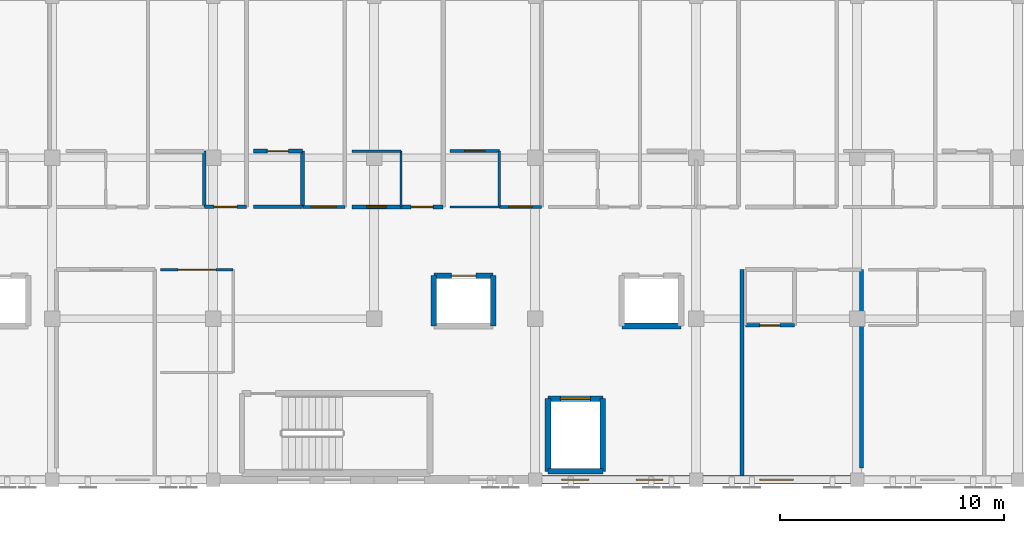
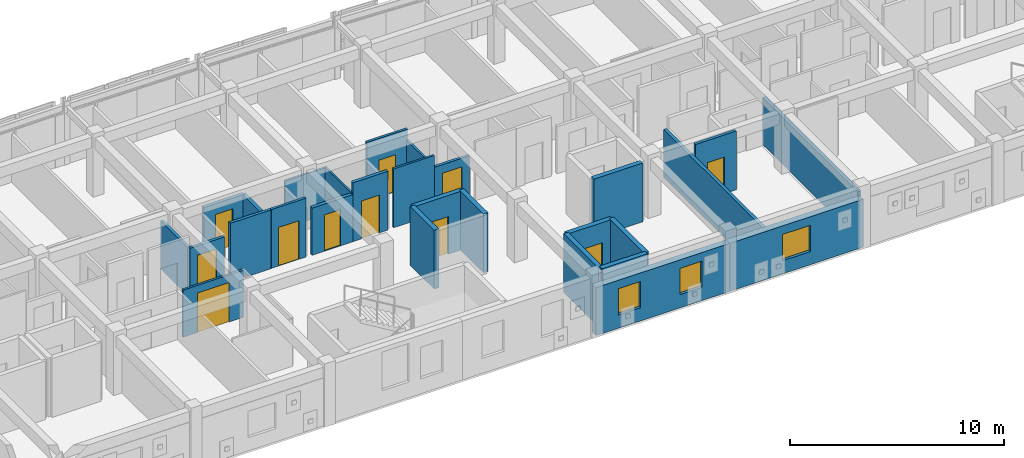
# One storey, part 40 of 48: 28 walls, 11 doors, 3 windows, 14 openings.
"""IFC4 building model written with IfcOpenShell, lengths in metres."""

from ifc_helpers import new_model, si_unit, direction, frame, frame_2d, origin, place, context, subcontext, project, spatial, rectangle, extrude, material, layer, layer_set, type_object, element, fill, save


model = new_model("IFC4")

# Units and contexts
model_context = context("Model", 3, precision=1e-05, world=origin(), true_north=direction((0.0, 1.0)))
body_context = subcontext(model_context, "Body", "Model", "MODEL_VIEW")
ifc_project = project(units=[si_unit("LENGTHUNIT", "METRE"), si_unit("AREAUNIT", "SQUARE_METRE"), si_unit("VOLUMEUNIT", "CUBIC_METRE"), si_unit("PLANEANGLEUNIT", "RADIAN"), si_unit("MASSUNIT", "GRAM", prefix="KILO")], contexts=[model_context])

# Site, building, storey
site_placement = place(None, origin())
site = spatial("IfcSite", under=ifc_project, at=site_placement, CompositionType="ELEMENT")
building_placement = place(site_placement, origin())
building = spatial("IfcBuilding", under=site, at=building_placement, Name="Carrowvane Square Congress Hotel", CompositionType="ELEMENT")
storey_placement = place(building_placement, frame((0.0, 0.0, 26.39990234375)))
storey = spatial("IfcBuildingStorey", under=building, at=storey_placement, Name="L06", CompositionType="ELEMENT", Elevation=26.39990234375)

# Wall, opening, window
ifc_material_1 = material(Name="Glazed terracotta rainscreen", Category="masonry")
ifc_layer_1 = layer(ifc_material_1, 0.360107421875)
ifc_layer_set_1 = layer_set([ifc_layer_1], Name="Glazed terracotta rainscreen")
wall_type_1 = type_object("IfcWallType", Name="WL-EXT-TC360", PredefinedType="STANDARD", material=ifc_layer_set_1)
wall_1_placement = place(storey_placement, frame((126.800048828125, 91.800048828125, 0.0), z_axis=(0.0, 0.0, 1.0), x_axis=(-1.0, 0.0, 0.0)))
wall_1 = element("IfcWall", 1, at=wall_1_placement, inside=storey, type_object=wall_type_1, Name="L06 exterior facade wall 491", PredefinedType="STANDARD", context=body_context, shape_type="SweptSolid", body=[
    extrude(rectangle(XDim=7.199951171875, YDim=0.360107421875, at=frame_2d((3.60009765625, 0.0))), origin(), (0.0, 0.0, 1.0), 2.735107421875),
])
opening_1_placement = place(wall_1_placement, frame((2.85009765625, 0.0, 0.75)))
opening_1 = element("IfcOpeningElement", 2, at=opening_1_placement, cuts=wall_1, Name="Opening W-15", PredefinedType="OPENING", context=body_context, shape_type="SweptSolid", body=[
    extrude(rectangle(XDim=1.5, YDim=1.5, at=frame_2d((0.75, 0.75))), frame((0.0, 0.18994140625, 0.0), z_axis=(0.0, -1.0, 0.0), x_axis=(1.0, 0.0, 0.0)), (0.0, 0.0, 1.0), 0.380126953125),
])
ifc_material_2 = material(Name="Double-glazed low-E glass", Category="glass")
window_type_1 = type_object("IfcWindowType", Name="WIN-15", PartitioningType="SINGLE_PANEL", PredefinedType="WINDOW", material=ifc_material_2)
window_1_placement = place(opening_1_placement, origin())
window_1 = element("IfcWindow", 3, at=window_1_placement, inside=storey, type_object=window_type_1, Name="L06 facade window 321", OverallHeight=1.5, OverallWidth=1.5, PartitioningType="SINGLE_PANEL", PredefinedType="WINDOW", context=body_context, shape_type="SweptSolid", body=[
    extrude(rectangle(XDim=1.5, YDim=1.5, at=frame_2d((0.75, 0.75))), frame((0.0, 0.030029296875, 0.0), z_axis=(0.0, -1.0, 0.0), x_axis=(1.0, 0.0, 0.0)), (0.0, 0.0, 1.0), 0.06005859375),
])
fill(opening_1, window_1)

# Wall, openings, windows
wall_2_placement = place(storey_placement, frame((119.60009765625, 91.800048828125, 0.0), z_axis=(0.0, 0.0, 1.0), x_axis=(-1.0, 0.0, 0.0)))
wall_2 = element("IfcWall", 4, at=wall_2_placement, inside=storey, type_object=wall_type_1, Name="L06 exterior facade wall 492", PredefinedType="STANDARD", context=body_context, shape_type="SweptSolid", body=[
    extrude(rectangle(XDim=7.2001953125, YDim=0.360107421875, at=frame_2d((3.60009765625, 0.0))), origin(), (0.0, 0.0, 1.0), 2.735107421875),
])
opening_2_placement = place(wall_2_placement, frame((1.487548828125, 0.0, 0.75)))
opening_2 = element("IfcOpeningElement", 5, at=opening_2_placement, cuts=wall_2, Name="Opening W-01", PredefinedType="OPENING", context=body_context, shape_type="SweptSolid", body=[
    extrude(rectangle(XDim=1.199951171875, YDim=1.5, at=frame_2d((0.60009765625, 0.75))), frame((0.0, 0.18994140625, 0.0), z_axis=(0.0, -1.0, 0.0), x_axis=(1.0, 0.0, 0.0)), (0.0, 0.0, 1.0), 0.380126953125),
])
opening_3_placement = place(wall_2_placement, frame((4.800048828125, 0.0, 0.75)))
opening_3 = element("IfcOpeningElement", 6, at=opening_3_placement, cuts=wall_2, Name="Opening W-01", PredefinedType="OPENING", context=body_context, shape_type="SweptSolid", body=[
    extrude(rectangle(XDim=1.199951171875, YDim=1.5, at=frame_2d((0.60009765625, 0.75))), frame((0.0, 0.18994140625, 0.0), z_axis=(0.0, -1.0, 0.0), x_axis=(1.0, 0.0, 0.0)), (0.0, 0.0, 1.0), 0.380126953125),
])
ifc_material_3 = material(Name="Double-glazed low-E glass", Category="glass")
window_type_2 = type_object("IfcWindowType", Name="WIN-01", PartitioningType="SINGLE_PANEL", PredefinedType="WINDOW", material=ifc_material_3)
window_2_placement = place(opening_2_placement, origin())
window_2 = element("IfcWindow", 7, at=window_2_placement, inside=storey, type_object=window_type_2, Name="L06 facade window 322", OverallHeight=1.5, OverallWidth=1.199951171875, PartitioningType="SINGLE_PANEL", PredefinedType="WINDOW", context=body_context, shape_type="SweptSolid", body=[
    extrude(rectangle(XDim=1.199951171875, YDim=1.5, at=frame_2d((0.60009765625, 0.75))), frame((0.0, 0.030029296875, 0.0), z_axis=(0.0, -1.0, 0.0), x_axis=(1.0, 0.0, 0.0)), (0.0, 0.0, 1.0), 0.06005859375),
])
fill(opening_2, window_2)
window_3_placement = place(opening_3_placement, origin())
window_3 = element("IfcWindow", 8, at=window_3_placement, inside=storey, type_object=window_type_2, Name="L06 split-bay facade window WIN-L06-0322-1", OverallHeight=1.5, OverallWidth=1.199951171875, PartitioningType="SINGLE_PANEL", PredefinedType="WINDOW", context=body_context, shape_type="SweptSolid", body=[
    extrude(rectangle(XDim=1.199951171875, YDim=1.5, at=frame_2d((0.60009765625, 0.75))), frame((0.0, 0.030029296875, 0.0), z_axis=(0.0, -1.0, 0.0), x_axis=(1.0, 0.0, 0.0)), (0.0, 0.0, 1.0), 0.06005859375),
])
fill(opening_3, window_3)

# Wall, opening, door
ifc_material_4 = material(Name="Acoustic gypsum board", Category="gypsum")
ifc_layer_2 = layer(ifc_material_4, 0.155029296875)
ifc_layer_set_2 = layer_set([ifc_layer_2], Name="Acoustic gypsum board")
wall_type_2 = type_object("IfcWallType", Name="WL-FIR-155", PredefinedType="PARTITIONING", material=ifc_layer_set_2)
wall_3_placement = place(storey_placement, frame((124.0, 98.699951171875, 0.0), z_axis=(0.0, 0.0, 1.0), x_axis=(-1.0, 0.0, 0.0)))
wall_3 = element("IfcWall", 9, at=wall_3_placement, inside=storey, type_object=wall_type_2, Name="L06 En-suite Bathroom 0607 partition", PredefinedType="PARTITIONING", context=body_context, shape_type="SweptSolid", body=[
    extrude(rectangle(XDim=2.199951171875, YDim=0.155029296875, at=frame_2d((1.10009765625, 0.0))), origin(), (0.0, 0.0, 1.0), 3.35009765625),
])
opening_4_placement = place(wall_3_placement, frame((0.655029296875, 0.0, 0.0)))
opening_4 = element("IfcOpeningElement", 10, at=opening_4_placement, cuts=wall_3, Name="Opening ID-16", PredefinedType="OPENING", context=body_context, shape_type="SweptSolid", body=[
    extrude(rectangle(XDim=0.889892578125, YDim=2.090087890625, at=frame_2d((0.44482421875, 1.044921875))), frame((0.0, 0.08740234375, 0.0), z_axis=(0.0, -1.0, 0.0), x_axis=(1.0, 0.0, 0.0)), (0.0, 0.0, 1.0), 0.175048828125),
])
ifc_material_5 = material(Name="European oak timber", Category="wood")
door_type_1 = type_object("IfcDoorType", Name="DR-INT-0890x2090", OperationType="NOTDEFINED", PredefinedType="DOOR", material=ifc_material_5)
door_1_placement = place(opening_4_placement, origin())
door_1 = element("IfcDoor", 11, at=door_1_placement, inside=storey, type_object=door_type_1, Name="L06 En-suite Bathroom 0607 door", OperationType="SINGLE_SWING_RIGHT", OverallHeight=2.090087890625, OverallWidth=0.889892578125, PredefinedType="DOOR", context=body_context, shape_type="SweptSolid", body=[
    extrude(rectangle(XDim=0.889892578125, YDim=2.090087890625, at=frame_2d((0.44482421875, 1.044921875))), frame((0.0, 0.02490234375, 0.0), z_axis=(0.0, -1.0, 0.0), x_axis=(1.0, 0.0, 0.0)), (0.0, 0.0, 1.0), 0.050048828125),
])
fill(opening_4, door_1)

wall_4_placement = place(storey_placement, frame((99.489990234375, 104.0, 0.0), z_axis=(0.0, 0.0, 1.0), x_axis=(-1.0, 0.0, 0.0)))
wall_4 = element("IfcWall", 12, at=wall_4_placement, inside=storey, type_object=wall_type_2, Name="L06 Parkview Guest Bedroom 0618 partition", PredefinedType="PARTITIONING", context=body_context, shape_type="SweptSolid", body=[
    extrude(rectangle(XDim=1.8798828125, YDim=0.155029296875, at=frame_2d((0.93994140625, 0.0))), origin(), (0.0, 0.0, 1.0), 2.68505859375),
])
opening_5_placement = place(wall_4_placement, frame((0.429931640625, 0.0, 0.0)))
opening_5 = element("IfcOpeningElement", 13, at=opening_5_placement, cuts=wall_4, Name="Opening FD-08", PredefinedType="OPENING", context=body_context, shape_type="SweptSolid", body=[
    extrude(rectangle(XDim=1.02001953125, YDim=2.14990234375, at=frame_2d((0.510009765625, 1.074951171875))), frame((0.0, 0.08740234375, 0.0), z_axis=(0.0, -1.0, 0.0), x_axis=(1.0, 0.0, 0.0)), (0.0, 0.0, 1.0), 0.175048828125),
])
ifc_material_6 = material(Name="European oak timber", Category="wood")
door_type_2 = type_object("IfcDoorType", Name="DR-FD30-1020x2150", OperationType="NOTDEFINED", PredefinedType="DOOR", material=ifc_material_6)
door_2_placement = place(opening_5_placement, origin())
door_2 = element("IfcDoor", 14, at=door_2_placement, inside=storey, type_object=door_type_2, Name="L06 Parkview Guest Bedroom 0618 entrance door", OperationType="SINGLE_SWING_LEFT", OverallHeight=2.14990234375, OverallWidth=1.02001953125, PredefinedType="DOOR", context=body_context, shape_type="SweptSolid", body=[
    extrude(rectangle(XDim=1.02001953125, YDim=2.14990234375, at=frame_2d((0.510009765625, 1.074951171875))), frame((0.0, 0.02490234375, 0.0), z_axis=(0.0, -1.0, 0.0), x_axis=(1.0, 0.0, 0.0)), (0.0, 0.0, 1.0), 0.050048828125),
])
fill(opening_5, door_2)

# Walls
wall_5_placement = place(storey_placement, frame((102.0, 104.0, 0.0), z_axis=(0.0, 0.0, 1.0), x_axis=(-1.0, 0.0, 0.0)))
element("IfcWall", 15, at=wall_5_placement, inside=storey, type_object=wall_type_2, Name="L06 En-suite Bathroom 0619 partition", PredefinedType="PARTITIONING", context=body_context, shape_type="SweptSolid", body=[
    extrude(rectangle(XDim=2.199951171875, YDim=0.155029296875, at=frame_2d((1.10009765625, 0.0))), origin(), (0.0, 0.0, 1.0), 3.35009765625),
])
ifc_material_7 = material(Name="Acoustic gypsum board", Category="gypsum")
ifc_layer_3 = layer(ifc_material_7, 0.169921875)
ifc_layer_set_3 = layer_set([ifc_layer_3], Name="Acoustic gypsum board")
wall_type_3 = type_object("IfcWallType", Name="WL-FIR-170", PredefinedType="PARTITIONING", material=ifc_layer_set_3)
wall_6_placement = place(storey_placement, frame((121.64990234375, 91.9599609375, 0.0), z_axis=(0.0, 0.0, 1.0), x_axis=(0.0, 1.0, 0.0)))
element("IfcWall", 16, at=wall_6_placement, inside=storey, type_object=wall_type_3, Name="L06 Hotel Suite 0607 partition", PredefinedType="PARTITIONING", context=body_context, shape_type="SweptSolid", body=[
    extrude(rectangle(XDim=9.239990234375, YDim=0.169921875, at=frame_2d((4.6201171875, 0.0))), origin(), (0.0, 0.0, 1.0), 2.735107421875),
])
wall_7_placement = place(storey_placement, frame((102.0, 106.5, 0.0), z_axis=(0.0, 0.0, 1.0), x_axis=(0.0, -1.0, 0.0)))
element("IfcWall", 17, at=wall_7_placement, inside=storey, type_object=wall_type_3, Name="L06 En-suite Bathroom 0619 partition", PredefinedType="PARTITIONING", context=body_context, shape_type="SweptSolid", body=[
    extrude(rectangle(XDim=2.5, YDim=0.169921875, at=frame_2d((1.25, 0.0))), origin(), (0.0, 0.0, 1.0), 2.735107421875),
])

# Wall, opening, door
wall_8_placement = place(storey_placement, frame((108.2900390625, 104.0, 0.0), z_axis=(0.0, 0.0, 1.0), x_axis=(-1.0, 0.0, 0.0)))
wall_8 = element("IfcWall", 18, at=wall_8_placement, inside=storey, type_object=wall_type_3, Name="L06 Parkview Guest Bedroom 0620 partition", PredefinedType="PARTITIONING", context=body_context, shape_type="SweptSolid", body=[
    extrude(rectangle(XDim=1.880126953125, YDim=0.169921875, at=frame_2d((0.93994140625, 0.0))), origin(), (0.0, 0.0, 1.0), 3.35009765625),
])
opening_6_placement = place(wall_8_placement, frame((0.449951171875, 0.0, 0.0)))
opening_6 = element("IfcOpeningElement", 19, at=opening_6_placement, cuts=wall_8, Name="Opening FD-07", PredefinedType="OPENING", context=body_context, shape_type="SweptSolid", body=[
    extrude(rectangle(XDim=0.97998046875, YDim=2.14990234375, at=frame_2d((0.489990234375, 1.074951171875))), frame((0.0, 0.094970703125, 0.0), z_axis=(0.0, -1.0, 0.0), x_axis=(1.0, 0.0, 0.0)), (0.0, 0.0, 1.0), 0.18994140625),
])
ifc_material_8 = material(Name="European oak timber", Category="wood")
door_type_3 = type_object("IfcDoorType", Name="DR-FD30-0980x2150", OperationType="NOTDEFINED", PredefinedType="DOOR", material=ifc_material_8)
door_3_placement = place(opening_6_placement, origin())
door_3 = element("IfcDoor", 20, at=door_3_placement, inside=storey, type_object=door_type_3, Name="L06 Parkview Guest Bedroom 0620 entrance door", OperationType="SINGLE_SWING_LEFT", OverallHeight=2.14990234375, OverallWidth=0.97998046875, PredefinedType="DOOR", context=body_context, shape_type="SweptSolid", body=[
    extrude(rectangle(XDim=0.97998046875, YDim=2.14990234375, at=frame_2d((0.489990234375, 1.074951171875))), frame((0.0, 0.02490234375, 0.0), z_axis=(0.0, -1.0, 0.0), x_axis=(1.0, 0.0, 0.0)), (0.0, 0.0, 1.0), 0.050048828125),
])
fill(opening_6, door_3)

# Wall
ifc_material_9 = material(Name="Acoustic gypsum board", Category="gypsum")
ifc_layer_4 = layer(ifc_material_9, 0.18505859375)
ifc_layer_set_4 = layer_set([ifc_layer_4], Name="Acoustic gypsum board")
wall_type_4 = type_object("IfcWallType", Name="WL-FIR-185", PredefinedType="PARTITIONING", material=ifc_layer_set_4)
wall_9_placement = place(storey_placement, frame((126.989990234375, 101.199951171875, 0.0), z_axis=(0.0, 0.0, 1.0), x_axis=(0.0, -1.0, 0.0)))
element("IfcWall", 21, at=wall_9_placement, inside=storey, type_object=wall_type_4, Name="L06 Hotel Suite 0607 partition", PredefinedType="PARTITIONING", context=body_context, shape_type="SweptSolid", body=[
    extrude(rectangle(XDim=8.8798828125, YDim=0.18505859375, at=frame_2d((4.43994140625, 0.0))), origin(), (0.0, 0.0, 1.0), 2.68505859375),
])

# Wall, opening, door
wall_10_placement = place(storey_placement, frame((99.800048828125, 106.5, 0.0), z_axis=(0.0, 0.0, 1.0), x_axis=(1.0, 0.0, 0.0)))
wall_10 = element("IfcWall", 22, at=wall_10_placement, inside=storey, type_object=wall_type_4, Name="L06 En-suite Bathroom 0619 partition", PredefinedType="PARTITIONING", context=body_context, shape_type="SweptSolid", body=[
    extrude(rectangle(XDim=2.199951171875, YDim=0.18505859375, at=frame_2d((1.10009765625, 0.0))), origin(), (0.0, 0.0, 1.0), 2.735107421875),
])
opening_7_placement = place(wall_10_placement, frame((0.6298828125, 0.0, 0.0)))
opening_7 = element("IfcOpeningElement", 23, at=opening_7_placement, cuts=wall_10, Name="Opening ID-04", PredefinedType="OPENING", context=body_context, shape_type="SweptSolid", body=[
    extrude(rectangle(XDim=0.93994140625, YDim=2.1201171875, at=frame_2d((0.469970703125, 1.06005859375))), frame((0.0, 0.1025390625, 0.0), z_axis=(0.0, -1.0, 0.0), x_axis=(1.0, 0.0, 0.0)), (0.0, 0.0, 1.0), 0.205078125),
])
ifc_material_10 = material(Name="European oak timber", Category="wood")
door_type_4 = type_object("IfcDoorType", Name="DR-INT-0940x2120", OperationType="NOTDEFINED", PredefinedType="DOOR", material=ifc_material_10)
door_4_placement = place(opening_7_placement, origin())
door_4 = element("IfcDoor", 24, at=door_4_placement, inside=storey, type_object=door_type_4, Name="L06 En-suite Bathroom 0619 door", OperationType="SINGLE_SWING_RIGHT", OverallHeight=2.1201171875, OverallWidth=0.93994140625, PredefinedType="DOOR", context=body_context, shape_type="SweptSolid", body=[
    extrude(rectangle(XDim=0.93994140625, YDim=2.1201171875, at=frame_2d((0.469970703125, 1.06005859375))), frame((0.0, 0.02490234375, 0.0), z_axis=(0.0, -1.0, 0.0), x_axis=(1.0, 0.0, 0.0)), (0.0, 0.0, 1.0), 0.050048828125),
])
fill(opening_7, door_4)

wall_11_placement = place(storey_placement, frame((106.39990234375, 104.0, 0.0), z_axis=(0.0, 0.0, 1.0), x_axis=(-1.0, 0.0, 0.0)))
wall_11 = element("IfcWall", 25, at=wall_11_placement, inside=storey, type_object=wall_type_4, Name="L06 En-suite Bathroom 0620 partition", PredefinedType="PARTITIONING", context=body_context, shape_type="SweptSolid", body=[
    extrude(rectangle(XDim=2.199951171875, YDim=0.18505859375, at=frame_2d((1.10009765625, 0.0))), origin(), (0.0, 0.0, 1.0), 2.68505859375),
])
opening_8_placement = place(wall_11_placement, frame((0.6650390625, 0.0, 0.0)))
opening_8 = element("IfcOpeningElement", 26, at=opening_8_placement, cuts=wall_11, Name="Opening ID-15", PredefinedType="OPENING", context=body_context, shape_type="SweptSolid", body=[
    extrude(rectangle(XDim=0.8701171875, YDim=2.070068359375, at=frame_2d((0.43505859375, 1.03515625))), frame((0.0, 0.1025390625, 0.0), z_axis=(0.0, -1.0, 0.0), x_axis=(1.0, 0.0, 0.0)), (0.0, 0.0, 1.0), 0.205078125),
])
ifc_material_11 = material(Name="European oak timber", Category="wood")
door_type_5 = type_object("IfcDoorType", Name="DR-INT-0870x2070", OperationType="NOTDEFINED", PredefinedType="DOOR", material=ifc_material_11)
door_5_placement = place(opening_8_placement, origin())
door_5 = element("IfcDoor", 27, at=door_5_placement, inside=storey, type_object=door_type_5, Name="L06 En-suite Bathroom 0620 door", OperationType="SINGLE_SWING_RIGHT", OverallHeight=2.070068359375, OverallWidth=0.8701171875, PredefinedType="DOOR", context=body_context, shape_type="SweptSolid", body=[
    extrude(rectangle(XDim=0.8701171875, YDim=2.070068359375, at=frame_2d((0.43505859375, 1.03515625))), frame((0.0, 0.02490234375, 0.0), z_axis=(0.0, -1.0, 0.0), x_axis=(1.0, 0.0, 0.0)), (0.0, 0.0, 1.0), 0.050048828125),
])
fill(opening_8, door_5)

# Walls
ifc_material_12 = material(Name="Acoustic gypsum board", Category="gypsum")
ifc_layer_5 = layer(ifc_material_12, 0.097900390625)
ifc_layer_set_5 = layer_set([ifc_layer_5], Name="Acoustic gypsum board")
wall_type_5 = type_object("IfcWallType", Name="WL-PRT-098", PredefinedType="PARTITIONING", material=ifc_layer_set_5)
wall_12_placement = place(storey_placement, frame((106.39990234375, 106.5, 0.0), z_axis=(0.0, 0.0, 1.0), x_axis=(0.0, -1.0, 0.0)))
element("IfcWall", 28, at=wall_12_placement, inside=storey, type_object=wall_type_5, Name="L06 En-suite Bathroom 0620 partition", PredefinedType="PARTITIONING", context=body_context, shape_type="SweptSolid", body=[
    extrude(rectangle(XDim=2.5, YDim=0.097900390625, at=frame_2d((1.25, 0.0))), origin(), (0.0, 0.0, 1.0), 2.735107421875),
])
ifc_material_13 = material(Name="Acoustic gypsum board", Category="gypsum")
ifc_layer_6 = layer(ifc_material_13, 0.10791015625)
ifc_layer_set_6 = layer_set([ifc_layer_6], Name="Acoustic gypsum board")
wall_type_6 = type_object("IfcWallType", Name="WL-PRT-108", PredefinedType="PARTITIONING", material=ifc_layer_set_6)
wall_13_placement = place(storey_placement, frame((104.199951171875, 106.5, 0.0), z_axis=(0.0, 0.0, 1.0), x_axis=(1.0, 0.0, 0.0)))
element("IfcWall", 29, at=wall_13_placement, inside=storey, type_object=wall_type_6, Name="L06 En-suite Bathroom 0620 partition", PredefinedType="PARTITIONING", context=body_context, shape_type="SweptSolid", body=[
    extrude(rectangle(XDim=2.199951171875, YDim=0.10791015625, at=frame_2d((1.10009765625, 0.0))), origin(), (0.0, 0.0, 1.0), 2.68505859375),
])
wall_14_placement = place(storey_placement, frame((110.800048828125, 104.0, 0.0), z_axis=(0.0, 0.0, 1.0), x_axis=(-1.0, 0.0, 0.0)))
element("IfcWall", 30, at=wall_14_placement, inside=storey, type_object=wall_type_6, Name="L06 En-suite Bathroom 0621 partition", PredefinedType="PARTITIONING", context=body_context, shape_type="SweptSolid", body=[
    extrude(rectangle(XDim=2.199951171875, YDim=0.10791015625, at=frame_2d((1.10009765625, 0.0))), origin(), (0.0, 0.0, 1.0), 3.35009765625),
])

# Wall, opening, door
ifc_material_14 = material(Name="Acoustic gypsum board", Category="gypsum")
ifc_layer_7 = layer(ifc_material_14, 0.117919921875)
ifc_layer_set_7 = layer_set([ifc_layer_7], Name="Acoustic gypsum board")
wall_type_7 = type_object("IfcWallType", Name="WL-PRT-118", PredefinedType="PARTITIONING", material=ifc_layer_set_7)
wall_15_placement = place(storey_placement, frame((95.64990234375, 101.199951171875, 0.0), z_axis=(0.0, 0.0, 1.0), x_axis=(1.0, 0.0, 0.0)))
wall_15 = element("IfcWall", 31, at=wall_15_placement, inside=storey, type_object=wall_type_7, Name="L06 L06 Accessible Guest WC partition", PredefinedType="PARTITIONING", context=body_context, shape_type="SweptSolid", body=[
    extrude(rectangle(XDim=3.25, YDim=0.117919921875, at=frame_2d((1.625, 0.0))), origin(), (0.0, 0.0, 1.0), 2.68505859375),
])
opening_9_placement = place(wall_15_placement, frame((0.77490234375, 0.0, 0.0)))
opening_9 = element("IfcOpeningElement", 32, at=opening_9_placement, cuts=wall_15, Name="Opening FD-12", PredefinedType="OPENING", context=body_context, shape_type="SweptSolid", body=[
    extrude(rectangle(XDim=1.699951171875, YDim=2.25, at=frame_2d((0.85009765625, 1.125))), frame((0.0, 0.06884765625, 0.0), z_axis=(0.0, -1.0, 0.0), x_axis=(1.0, 0.0, 0.0)), (0.0, 0.0, 1.0), 0.137939453125),
])
ifc_material_15 = material(Name="European oak timber", Category="wood")
door_type_6 = type_object("IfcDoorType", Name="DR-FD30-1700x2250", OperationType="DOUBLE_DOOR_SINGLE_SWING", PredefinedType="DOOR", material=ifc_material_15)
door_6_placement = place(opening_9_placement, origin())
door_6 = element("IfcDoor", 33, at=door_6_placement, inside=storey, type_object=door_type_6, Name="L06 L06 Accessible Guest WC entrance door", OperationType="DOUBLE_DOOR_SINGLE_SWING", OverallHeight=2.25, OverallWidth=1.699951171875, PredefinedType="DOOR", context=body_context, shape_type="SweptSolid", body=[
    extrude(rectangle(XDim=1.699951171875, YDim=2.25, at=frame_2d((0.85009765625, 1.125))), frame((0.0, 0.02490234375, 0.0), z_axis=(0.0, -1.0, 0.0), x_axis=(1.0, 0.0, 0.0)), (0.0, 0.0, 1.0), 0.050048828125),
])
fill(opening_9, door_6)

# Wall
wall_16_placement = place(storey_placement, frame((110.800048828125, 106.5, 0.0), z_axis=(0.0, 0.0, 1.0), x_axis=(0.0, -1.0, 0.0)))
element("IfcWall", 34, at=wall_16_placement, inside=storey, type_object=wall_type_7, Name="L06 En-suite Bathroom 0621 partition", PredefinedType="PARTITIONING", context=body_context, shape_type="SweptSolid", body=[
    extrude(rectangle(XDim=2.5, YDim=0.117919921875, at=frame_2d((1.25, 0.0))), origin(), (0.0, 0.0, 1.0), 2.735107421875),
])

# Wall, opening, door
ifc_material_16 = material(Name="Acoustic gypsum board", Category="gypsum")
ifc_layer_8 = layer(ifc_material_16, 0.1279296875)
ifc_layer_set_8 = layer_set([ifc_layer_8], Name="Acoustic gypsum board")
wall_type_8 = type_object("IfcWallType", Name="WL-PRT-128", PredefinedType="PARTITIONING", material=ifc_layer_set_8)
wall_17_placement = place(storey_placement, frame((108.60009765625, 106.5, 0.0), z_axis=(0.0, 0.0, 1.0), x_axis=(1.0, 0.0, 0.0)))
wall_17 = element("IfcWall", 35, at=wall_17_placement, inside=storey, type_object=wall_type_8, Name="L06 En-suite Bathroom 0621 partition", PredefinedType="PARTITIONING", context=body_context, shape_type="SweptSolid", body=[
    extrude(rectangle(XDim=2.199951171875, YDim=0.1279296875, at=frame_2d((1.10009765625, 0.0))), origin(), (0.0, 0.0, 1.0), 3.35009765625),
])
opening_10_placement = place(wall_17_placement, frame((0.64501953125, 0.0, 0.0)))
opening_10 = element("IfcOpeningElement", 36, at=opening_10_placement, cuts=wall_17, Name="Opening ID-17", PredefinedType="OPENING", context=body_context, shape_type="SweptSolid", body=[
    extrude(rectangle(XDim=0.909912109375, YDim=2.110107421875, at=frame_2d((0.455078125, 1.05517578125))), frame((0.0, 0.073974609375, 0.0), z_axis=(0.0, -1.0, 0.0), x_axis=(1.0, 0.0, 0.0)), (0.0, 0.0, 1.0), 0.14794921875),
])
ifc_material_17 = material(Name="European oak timber", Category="wood")
door_type_7 = type_object("IfcDoorType", Name="DR-INT-0910x2110", OperationType="NOTDEFINED", PredefinedType="DOOR", material=ifc_material_17)
door_7_placement = place(opening_10_placement, origin())
door_7 = element("IfcDoor", 37, at=door_7_placement, inside=storey, type_object=door_type_7, Name="L06 En-suite Bathroom 0621 door", OperationType="SINGLE_SWING_RIGHT", OverallHeight=2.110107421875, OverallWidth=0.909912109375, PredefinedType="DOOR", context=body_context, shape_type="SweptSolid", body=[
    extrude(rectangle(XDim=0.909912109375, YDim=2.110107421875, at=frame_2d((0.455078125, 1.05517578125))), frame((0.0, 0.02490234375, 0.0), z_axis=(0.0, -1.0, 0.0), x_axis=(1.0, 0.0, 0.0)), (0.0, 0.0, 1.0), 0.050048828125),
])
fill(opening_10, door_7)

ifc_material_18 = material(Name="Acoustic gypsum board", Category="gypsum")
ifc_layer_9 = layer(ifc_material_18, 0.137939453125)
ifc_layer_set_9 = layer_set([ifc_layer_9], Name="Acoustic gypsum board")
wall_type_9 = type_object("IfcWallType", Name="WL-PRT-138", PredefinedType="PARTITIONING", material=ifc_layer_set_9)
wall_18_placement = place(storey_placement, frame((103.889892578125, 104.0, 0.0), z_axis=(0.0, 0.0, 1.0), x_axis=(-1.0, 0.0, 0.0)))
wall_18 = element("IfcWall", 38, at=wall_18_placement, inside=storey, type_object=wall_type_9, Name="L06 Parkview Guest Bedroom 0619 partition", PredefinedType="PARTITIONING", context=body_context, shape_type="SweptSolid", body=[
    extrude(rectangle(XDim=1.8798828125, YDim=0.137939453125, at=frame_2d((0.93994140625, 0.0))), origin(), (0.0, 0.0, 1.0), 3.35009765625),
])
opening_11_placement = place(wall_18_placement, frame((0.3798828125, 0.0, 0.0)))
opening_11 = element("IfcOpeningElement", 39, at=opening_11_placement, cuts=wall_18, Name="Opening FD-10", PredefinedType="OPENING", context=body_context, shape_type="SweptSolid", body=[
    extrude(rectangle(XDim=1.1201171875, YDim=2.199951171875, at=frame_2d((0.56005859375, 1.10009765625))), frame((0.0, 0.078857421875, 0.0), z_axis=(0.0, -1.0, 0.0), x_axis=(1.0, 0.0, 0.0)), (0.0, 0.0, 1.0), 0.157958984375),
])
ifc_material_19 = material(Name="European oak timber", Category="wood")
door_type_8 = type_object("IfcDoorType", Name="DR-FD30-1120x2200", OperationType="NOTDEFINED", PredefinedType="DOOR", material=ifc_material_19)
door_8_placement = place(opening_11_placement, origin())
door_8 = element("IfcDoor", 40, at=door_8_placement, inside=storey, type_object=door_type_8, Name="L06 Parkview Guest Bedroom 0619 entrance door", OperationType="SINGLE_SWING_LEFT", OverallHeight=2.199951171875, OverallWidth=1.1201171875, PredefinedType="DOOR", context=body_context, shape_type="SweptSolid", body=[
    extrude(rectangle(XDim=1.1201171875, YDim=2.199951171875, at=frame_2d((0.56005859375, 1.10009765625))), frame((0.0, 0.02490234375, 0.0), z_axis=(0.0, -1.0, 0.0), x_axis=(1.0, 0.0, 0.0)), (0.0, 0.0, 1.0), 0.050048828125),
])
fill(opening_11, door_8)

# Wall
ifc_material_20 = material(Name="Acoustic gypsum board", Category="gypsum")
ifc_layer_10 = layer(ifc_material_20, 0.14794921875)
ifc_layer_set_10 = layer_set([ifc_layer_10], Name="Acoustic gypsum board")
wall_type_10 = type_object("IfcWallType", Name="WL-PRT-148", PredefinedType="PARTITIONING", material=ifc_layer_set_10)
wall_19_placement = place(storey_placement, frame((97.60009765625, 106.5, 0.0), z_axis=(0.0, 0.0, 1.0), x_axis=(0.0, -1.0, 0.0)))
element("IfcWall", 41, at=wall_19_placement, inside=storey, type_object=wall_type_10, Name="L06 En-suite Bathroom 0618 partition", PredefinedType="PARTITIONING", context=body_context, shape_type="SweptSolid", body=[
    extrude(rectangle(XDim=2.5, YDim=0.14794921875, at=frame_2d((1.25, 0.0))), origin(), (0.0, 0.0, 1.0), 2.735107421875),
])

# Wall, opening, door
wall_20_placement = place(storey_placement, frame((112.68994140625, 104.0, 0.0), z_axis=(0.0, 0.0, 1.0), x_axis=(-1.0, 0.0, 0.0)))
wall_20 = element("IfcWall", 42, at=wall_20_placement, inside=storey, type_object=wall_type_10, Name="L06 Parkview Guest Bedroom 0621 partition", PredefinedType="PARTITIONING", context=body_context, shape_type="SweptSolid", body=[
    extrude(rectangle(XDim=1.8798828125, YDim=0.14794921875, at=frame_2d((0.93994140625, 0.0))), origin(), (0.0, 0.0, 1.0), 2.68505859375),
])
opening_12_placement = place(wall_20_placement, frame((0.409912109375, 0.0, 0.0)))
opening_12 = element("IfcOpeningElement", 43, at=opening_12_placement, cuts=wall_20, Name="Opening FD-09", PredefinedType="OPENING", context=body_context, shape_type="SweptSolid", body=[
    extrude(rectangle(XDim=1.06005859375, YDim=2.199951171875, at=frame_2d((0.530029296875, 1.10009765625))), frame((0.0, 0.083984375, 0.0), z_axis=(0.0, -1.0, 0.0), x_axis=(1.0, 0.0, 0.0)), (0.0, 0.0, 1.0), 0.16796875),
])
ifc_material_21 = material(Name="European oak timber", Category="wood")
door_type_9 = type_object("IfcDoorType", Name="DR-FD30-1060x2200", OperationType="NOTDEFINED", PredefinedType="DOOR", material=ifc_material_21)
door_9_placement = place(opening_12_placement, origin())
door_9 = element("IfcDoor", 44, at=door_9_placement, inside=storey, type_object=door_type_9, Name="L06 Parkview Guest Bedroom 0621 entrance door", OperationType="SINGLE_SWING_LEFT", OverallHeight=2.199951171875, OverallWidth=1.06005859375, PredefinedType="DOOR", context=body_context, shape_type="SweptSolid", body=[
    extrude(rectangle(XDim=1.06005859375, YDim=2.199951171875, at=frame_2d((0.530029296875, 1.10009765625))), frame((0.0, 0.02490234375, 0.0), z_axis=(0.0, -1.0, 0.0), x_axis=(1.0, 0.0, 0.0)), (0.0, 0.0, 1.0), 0.050048828125),
])
fill(opening_12, door_9)

# Wall
ifc_material_22 = material(Name="Concrete C40/50", Category="concrete")
ifc_layer_11 = layer(ifc_material_22, 0.25)
ifc_layer_set_11 = layer_set([ifc_layer_11], Name="Concrete C40/50")
wall_type_11 = type_object("IfcWallType", Name="WL-SHR-250", PredefinedType="SHEAR", material=ifc_layer_set_11)
wall_21_placement = place(storey_placement, frame((110.52490234375, 98.675048828125, 0.0), z_axis=(0.0, 0.0, 1.0), x_axis=(0.0, 1.0, 0.0)))
element("IfcWall", 45, at=wall_21_placement, inside=storey, type_object=wall_type_11, Name="L06 HL-3 shaft wall east", PredefinedType="SHEAR", context=body_context, shape_type="SweptSolid", body=[
    extrude(rectangle(XDim=2.25, YDim=0.25, at=frame_2d((1.125, 0.0))), origin(), (0.0, 0.0, 1.0), 3.35009765625),
])

# Wall, opening, door
wall_22_placement = place(storey_placement, frame((110.52490234375, 100.925048828125, 0.0), z_axis=(0.0, 0.0, 1.0), x_axis=(-1.0, 0.0, 0.0)))
wall_22 = element("IfcWall", 46, at=wall_22_placement, inside=storey, type_object=wall_type_11, Name="L06 HL-3 shaft wall north", PredefinedType="SHEAR", context=body_context, shape_type="SweptSolid", body=[
    extrude(rectangle(XDim=2.64990234375, YDim=0.25, at=frame_2d((1.324951171875, 0.0))), origin(), (0.0, 0.0, 1.0), 3.35009765625),
])
opening_13_placement = place(wall_22_placement, frame((0.77490234375, 0.0, 0.0)))
opening_13 = element("IfcOpeningElement", 47, at=opening_13_placement, cuts=wall_22, Name="Opening LD-HL-3", PredefinedType="OPENING", context=body_context, shape_type="SweptSolid", body=[
    extrude(rectangle(XDim=1.10009765625, YDim=2.14990234375, at=frame_2d((0.550048828125, 1.074951171875))), frame((0.0, 0.135009765625, 0.0), z_axis=(0.0, -1.0, 0.0), x_axis=(1.0, 0.0, 0.0)), (0.0, 0.0, 1.0), 0.27001953125),
])
ifc_material_23 = material(Name="Stainless steel 316", Category="steel")
door_type_10 = type_object("IfcDoorType", Name="DR-LD-1100x2150", OperationType="DOUBLE_DOOR_SLIDING", PredefinedType="DOOR", material=ifc_material_23)
door_10_placement = place(opening_13_placement, origin())
door_10 = element("IfcDoor", 48, at=door_10_placement, inside=storey, type_object=door_type_10, Name="L06 HL-3 sliding lift landing door", OperationType="DOUBLE_DOOR_SLIDING", OverallHeight=2.14990234375, OverallWidth=1.10009765625, PredefinedType="DOOR", context=body_context, shape_type="SweptSolid", body=[
    extrude(rectangle(XDim=1.10009765625, YDim=2.14990234375, at=frame_2d((0.550048828125, 1.074951171875))), frame((0.0, 0.02490234375, 0.0), z_axis=(0.0, -1.0, 0.0), x_axis=(1.0, 0.0, 0.0)), (0.0, 0.0, 1.0), 0.050048828125),
])
fill(opening_13, door_10)

# Walls
wall_23_placement = place(storey_placement, frame((107.875, 100.925048828125, 0.0), z_axis=(0.0, 0.0, 1.0), x_axis=(0.0, -1.0, 0.0)))
element("IfcWall", 49, at=wall_23_placement, inside=storey, type_object=wall_type_11, Name="L06 HL-3 shaft wall west", PredefinedType="SHEAR", context=body_context, shape_type="SweptSolid", body=[
    extrude(rectangle(XDim=2.25, YDim=0.25, at=frame_2d((1.125, 0.0))), origin(), (0.0, 0.0, 1.0), 3.35009765625),
])
wall_24_placement = place(storey_placement, frame((116.27490234375, 98.675048828125, 0.0), z_axis=(0.0, 0.0, 1.0), x_axis=(1.0, 0.0, 0.0)))
element("IfcWall", 50, at=wall_24_placement, inside=storey, type_object=wall_type_11, Name="L06 HL-4 shaft wall south", PredefinedType="SHEAR", context=body_context, shape_type="SweptSolid", body=[
    extrude(rectangle(XDim=2.650146484375, YDim=0.25, at=frame_2d((1.3251953125, 0.0))), origin(), (0.0, 0.0, 1.0), 3.35009765625),
])
wall_25_placement = place(storey_placement, frame((112.97509765625, 92.175048828125, 0.0), z_axis=(0.0, 0.0, 1.0), x_axis=(1.0, 0.0, 0.0)))
element("IfcWall", 51, at=wall_25_placement, inside=storey, type_object=wall_type_11, Name="L06 SL-2 shaft wall south", PredefinedType="SHEAR", context=body_context, shape_type="SweptSolid", body=[
    extrude(rectangle(XDim=2.449951171875, YDim=0.25, at=frame_2d((1.22509765625, 0.0))), origin(), (0.0, 0.0, 1.0), 3.35009765625),
])
wall_26_placement = place(storey_placement, frame((115.425048828125, 92.175048828125, 0.0), z_axis=(0.0, 0.0, 1.0), x_axis=(0.0, 1.0, 0.0)))
element("IfcWall", 52, at=wall_26_placement, inside=storey, type_object=wall_type_11, Name="L06 SL-2 shaft wall east", PredefinedType="SHEAR", context=body_context, shape_type="SweptSolid", body=[
    extrude(rectangle(XDim=3.25, YDim=0.25, at=frame_2d((1.625, 0.0))), origin(), (0.0, 0.0, 1.0), 3.35009765625),
])

# Wall, opening, door
wall_27_placement = place(storey_placement, frame((115.425048828125, 95.425048828125, 0.0), z_axis=(0.0, 0.0, 1.0), x_axis=(-1.0, 0.0, 0.0)))
wall_27 = element("IfcWall", 53, at=wall_27_placement, inside=storey, type_object=wall_type_11, Name="L06 SL-2 shaft wall north", PredefinedType="SHEAR", context=body_context, shape_type="SweptSolid", body=[
    extrude(rectangle(XDim=2.449951171875, YDim=0.25, at=frame_2d((1.22509765625, 0.0))), origin(), (0.0, 0.0, 1.0), 3.35009765625),
])
opening_14_placement = place(wall_27_placement, frame((0.550048828125, 0.0, 0.0)))
opening_14 = element("IfcOpeningElement", 54, at=opening_14_placement, cuts=wall_27, Name="Opening LD-SL-2", PredefinedType="OPENING", context=body_context, shape_type="SweptSolid", body=[
    extrude(rectangle(XDim=1.35009765625, YDim=2.199951171875, at=frame_2d((0.675048828125, 1.10009765625))), frame((0.0, 0.135009765625, 0.0), z_axis=(0.0, -1.0, 0.0), x_axis=(1.0, 0.0, 0.0)), (0.0, 0.0, 1.0), 0.27001953125),
])
ifc_material_24 = material(Name="Stainless steel 316", Category="steel")
door_type_11 = type_object("IfcDoorType", Name="DR-LD-1350x2200", OperationType="DOUBLE_DOOR_SLIDING", PredefinedType="DOOR", material=ifc_material_24)
door_11_placement = place(opening_14_placement, origin())
door_11 = element("IfcDoor", 55, at=door_11_placement, inside=storey, type_object=door_type_11, Name="L06 SL-2 sliding lift landing door", OperationType="DOUBLE_DOOR_SLIDING", OverallHeight=2.199951171875, OverallWidth=1.35009765625, PredefinedType="DOOR", context=body_context, shape_type="SweptSolid", body=[
    extrude(rectangle(XDim=1.35009765625, YDim=2.199951171875, at=frame_2d((0.675048828125, 1.10009765625))), frame((0.0, 0.02490234375, 0.0), z_axis=(0.0, -1.0, 0.0), x_axis=(1.0, 0.0, 0.0)), (0.0, 0.0, 1.0), 0.050048828125),
])
fill(opening_14, door_11)

# Wall
wall_28_placement = place(storey_placement, frame((112.97509765625, 95.425048828125, 0.0), z_axis=(0.0, 0.0, 1.0), x_axis=(0.0, -1.0, 0.0)))
element("IfcWall", 56, at=wall_28_placement, inside=storey, type_object=wall_type_11, Name="L06 SL-2 shaft wall west", PredefinedType="SHEAR", context=body_context, shape_type="SweptSolid", body=[
    extrude(rectangle(XDim=3.25, YDim=0.25, at=frame_2d((1.625, 0.0))), origin(), (0.0, 0.0, 1.0), 3.35009765625),
])

save(model, "model.ifc")
